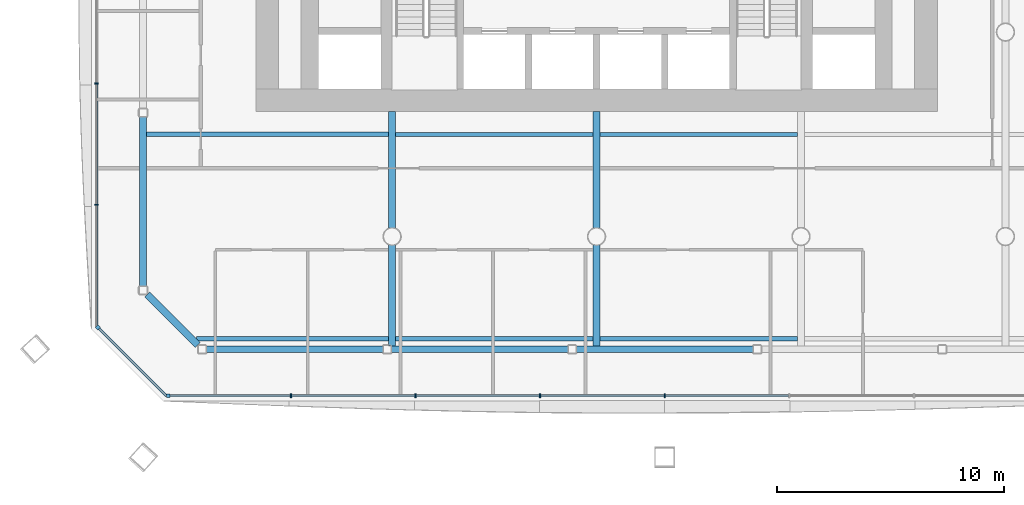
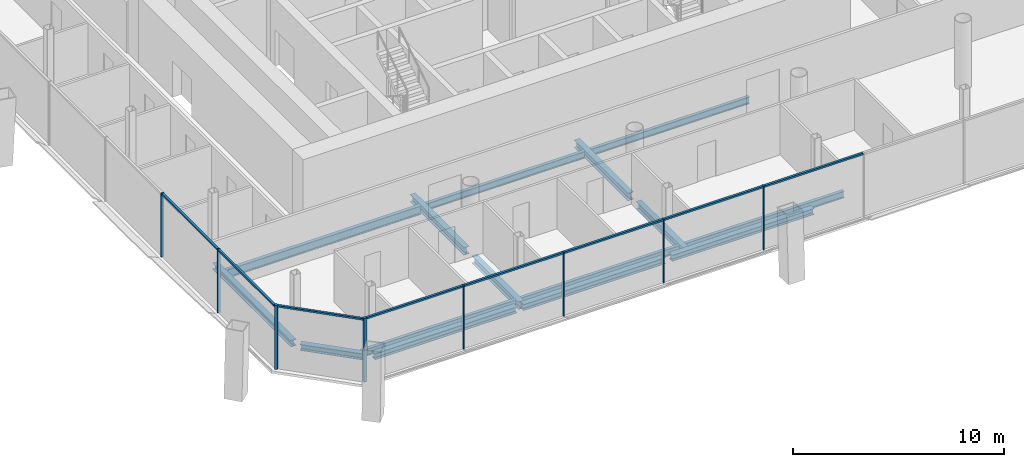
# One storey, part 3 of 19: 16 members, 15 beams, 3 elements without a shape of their own.
"""IFC4 building model written with IfcOpenShell, lengths in metres."""

from ifc_helpers import new_model, si_unit, direction, frame, origin, origin_2d, place, context, subcontext, project, spatial, rectangle, i_section, extrude, material, material_profile, profile_set, type_object, element, aggregate, save


model = new_model("IFC4")

# Units and contexts
model_context = context("Model", 3, precision=1e-05, world=origin(), true_north=direction((0.0, 1.0)))
body_context = subcontext(model_context, "Body", "Model", "MODEL_VIEW")
ifc_project = project(units=[si_unit("LENGTHUNIT", "METRE"), si_unit("AREAUNIT", "SQUARE_METRE"), si_unit("VOLUMEUNIT", "CUBIC_METRE"), si_unit("PLANEANGLEUNIT", "RADIAN"), si_unit("MASSUNIT", "GRAM", prefix="KILO")], contexts=[model_context])

# Site, building, storey
site_placement = place(None, origin())
site = spatial("IfcSite", under=ifc_project, at=site_placement, CompositionType="ELEMENT")
building_placement = place(site_placement, origin())
building = spatial("IfcBuilding", under=site, at=building_placement, Name="Tskaro Facet Tower", CompositionType="ELEMENT")
storey_placement = place(building_placement, frame((0.0, 0.0, 81.60009765625)))
storey = spatial("IfcBuildingStorey", under=building, at=storey_placement, Name="L19", CompositionType="ELEMENT", Elevation=81.60009765625)

# Curtain wall, member
ifc_material_1 = material(Name="Bronze anodised aluminium 6063-T6", Category="aluminium")
curtain_wall_type = type_object("IfcCurtainWallType", Name="Bronze office curtain wall (FW1)", PredefinedType="NOTDEFINED", material=ifc_material_1)
curtain_wall_1_placement = place(storey_placement, origin())
curtain_wall_1 = element("IfcCurtainWall", 1, at=curtain_wall_1_placement, inside=storey, type_object=curtain_wall_type, Name="FW1 south facet L19", PredefinedType="NOTDEFINED")
ifc_material_profile_1 = material_profile(ifc_material_1, rectangle(XDim=0.159912109375, YDim=0.159912109375, at=origin_2d()), Name="Corner post 160x160")
ifc_profile_set_1 = profile_set([ifc_material_profile_1], Name="Bronze anodised aluminium 6063-T6")
member_type_1 = type_object("IfcMemberType", Name="FW1 bronze corner post 160x160", PredefinedType="MULLION", material=ifc_profile_set_1)
member_1_placement = place(storey_placement, frame((-18.85888671875, -25.010986328125, 0.0), z_axis=(0.0, 0.0, 1.0), x_axis=(1.0, 0.0, 0.0)))
member_1 = element("IfcMember", 2, at=member_1_placement, type_object=member_type_1, Name="FW1 south corner post", PredefinedType="MULLION", context=body_context, shape_type="SweptSolid", body=[
    extrude(rectangle(XDim=0.159912109375, YDim=0.159912109375, at=origin_2d()), origin(), (0.0, 0.0, 1.0), 3.699951171875),
])

curtain_wall_2_placement = place(storey_placement, origin())
curtain_wall_2 = element("IfcCurtainWall", 3, at=curtain_wall_2_placement, inside=storey, type_object=curtain_wall_type, Name="FW1 south-west facet L19", PredefinedType="NOTDEFINED")
member_2_placement = place(storey_placement, frame((-21.954345703125, -21.99560546875, 0.0), z_axis=(0.0, 0.0, 1.0), x_axis=(0.707106781187, -0.707106781187, 0.0)))
member_2 = element("IfcMember", 4, at=member_2_placement, type_object=member_type_1, Name="FW1 south-west corner post", PredefinedType="MULLION", context=body_context, shape_type="SweptSolid", body=[
    extrude(rectangle(XDim=0.159912109375, YDim=0.159912109375, at=origin_2d()), origin(), (0.0, 0.0, 1.0), 3.699951171875),
])

# Member
ifc_material_profile_2 = material_profile(ifc_material_1, rectangle(XDim=0.06005859375, YDim=0.159912109375, at=origin_2d()), Name="Mullion 60x160")
ifc_profile_set_2 = profile_set([ifc_material_profile_2], Name="Bronze anodised aluminium 6063-T6")
member_type_2 = type_object("IfcMemberType", Name="FW1 bronze mullion 60x160", PredefinedType="MULLION", material=ifc_profile_set_2)
member_3_placement = place(storey_placement, frame((-13.454345703125, -25.010986328125, 0.0), z_axis=(0.0, 0.0, 1.0), x_axis=(1.0, 0.0, 0.0)))
member_3 = element("IfcMember", 5, at=member_3_placement, type_object=member_type_2, Name="FW1 south mullion 1", PredefinedType="MULLION", context=body_context, shape_type="SweptSolid", body=[
    extrude(rectangle(XDim=0.06005859375, YDim=0.159912109375, at=origin_2d()), origin(), (0.0, 0.0, 1.0), 3.699951171875),
])

member_4_placement = place(storey_placement, frame((-7.969482421875, -25.010986328125, 0.0), z_axis=(0.0, 0.0, 1.0), x_axis=(1.0, 0.0, 0.0)))
member_4 = element("IfcMember", 6, at=member_4_placement, type_object=member_type_2, Name="FW1 south mullion 2", PredefinedType="MULLION", context=body_context, shape_type="SweptSolid", body=[
    extrude(rectangle(XDim=0.06005859375, YDim=0.159912109375, at=origin_2d()), origin(), (0.0, 0.0, 1.0), 3.699951171875),
])

member_5_placement = place(storey_placement, frame((-2.48486328125, -25.010986328125, 0.0), z_axis=(0.0, 0.0, 1.0), x_axis=(1.0, 0.0, 0.0)))
member_5 = element("IfcMember", 7, at=member_5_placement, type_object=member_type_2, Name="FW1 south mullion 3", PredefinedType="MULLION", context=body_context, shape_type="SweptSolid", body=[
    extrude(rectangle(XDim=0.06005859375, YDim=0.159912109375, at=origin_2d()), origin(), (0.0, 0.0, 1.0), 3.699951171875),
])

member_6_placement = place(storey_placement, frame((3.0, -25.010986328125, 0.0), z_axis=(0.0, 0.0, 1.0), x_axis=(1.0, 0.0, 0.0)))
member_6 = element("IfcMember", 8, at=member_6_placement, type_object=member_type_2, Name="FW1 south mullion 4", PredefinedType="MULLION", context=body_context, shape_type="SweptSolid", body=[
    extrude(rectangle(XDim=0.06005859375, YDim=0.159912109375, at=origin_2d()), origin(), (0.0, 0.0, 1.0), 3.699951171875),
])

# Curtain wall, members
curtain_wall_3_placement = place(storey_placement, origin())
curtain_wall_3 = element("IfcCurtainWall", 9, at=curtain_wall_3_placement, inside=storey, type_object=curtain_wall_type, Name="FW1 west facet L19", PredefinedType="NOTDEFINED")
member_7_placement = place(storey_placement, frame((-22.010986328125, -11.268310546875, 0.0), z_axis=(0.0, 0.0, 1.0), x_axis=(0.0, -1.0, 0.0)))
member_7 = element("IfcMember", 10, at=member_7_placement, type_object=member_type_2, Name="FW1 west mullion 6", PredefinedType="MULLION", context=body_context, shape_type="SweptSolid", body=[
    extrude(rectangle(XDim=0.06005859375, YDim=0.159912109375, at=origin_2d()), origin(), (0.0, 0.0, 1.0), 3.699951171875),
])
member_8_placement = place(storey_placement, frame((-22.010986328125, -16.603515625, 0.0), z_axis=(0.0, 0.0, 1.0), x_axis=(0.0, -1.0, 0.0)))
member_8 = element("IfcMember", 11, at=member_8_placement, type_object=member_type_2, Name="FW1 west mullion 7", PredefinedType="MULLION", context=body_context, shape_type="SweptSolid", body=[
    extrude(rectangle(XDim=0.06005859375, YDim=0.159912109375, at=origin_2d()), origin(), (0.0, 0.0, 1.0), 3.699951171875),
])

# Member
ifc_material_profile_3 = material_profile(ifc_material_1, rectangle(XDim=0.1201171875, YDim=0.10009765625, at=origin_2d()), Name="Transom 120x100")
ifc_profile_set_3 = profile_set([ifc_material_profile_3], Name="Bronze anodised aluminium 6063-T6")
member_type_3 = type_object("IfcMemberType", Name="FW1 bronze transom 120x100", PredefinedType="USERDEFINED", material=ifc_profile_set_3)
member_9_placement = place(storey_placement, frame((-18.779052734375, -25.010986328125, 3.64990234375), z_axis=(1.0, 0.0, 0.0), x_axis=(0.0, 1.0, 0.0)))
member_9 = element("IfcMember", 12, at=member_9_placement, type_object=member_type_3, Name="FW1 south transom 1.1", ObjectType="TRANSOM", PredefinedType="USERDEFINED", context=body_context, shape_type="SweptSolid", body=[
    extrude(rectangle(XDim=0.1201171875, YDim=0.10009765625, at=origin_2d()), origin(), (0.0, 0.0, 1.0), 5.294921875),
])

member_10_placement = place(storey_placement, frame((-13.42431640625, -25.010986328125, 3.64990234375), z_axis=(1.0, 0.0, 0.0), x_axis=(0.0, 1.0, 0.0)))
member_10 = element("IfcMember", 13, at=member_10_placement, type_object=member_type_3, Name="FW1 south transom 2.1", ObjectType="TRANSOM", PredefinedType="USERDEFINED", context=body_context, shape_type="SweptSolid", body=[
    extrude(rectangle(XDim=0.1201171875, YDim=0.10009765625, at=origin_2d()), origin(), (0.0, 0.0, 1.0), 5.4248046875),
])

member_11_placement = place(storey_placement, frame((-7.939453125, -25.010986328125, 3.64990234375), z_axis=(1.0, 0.0, 0.0), x_axis=(0.0, 1.0, 0.0)))
member_11 = element("IfcMember", 14, at=member_11_placement, type_object=member_type_3, Name="FW1 south transom 3.1", ObjectType="TRANSOM", PredefinedType="USERDEFINED", context=body_context, shape_type="SweptSolid", body=[
    extrude(rectangle(XDim=0.1201171875, YDim=0.10009765625, at=origin_2d()), origin(), (0.0, 0.0, 1.0), 5.4248046875),
])

member_12_placement = place(storey_placement, frame((-2.454833984375, -25.010986328125, 3.64990234375), z_axis=(1.0, 0.0, 0.0), x_axis=(0.0, 1.0, 0.0)))
member_12 = element("IfcMember", 15, at=member_12_placement, type_object=member_type_3, Name="FW1 south transom 4.1", ObjectType="TRANSOM", PredefinedType="USERDEFINED", context=body_context, shape_type="SweptSolid", body=[
    extrude(rectangle(XDim=0.1201171875, YDim=0.10009765625, at=origin_2d()), origin(), (0.0, 0.0, 1.0), 5.4248046875),
])

member_13_placement = place(storey_placement, frame((3.030029296875, -25.010986328125, 3.64990234375), z_axis=(1.0, 0.0, 0.0), x_axis=(0.0, 1.0, 0.0)))
member_13 = element("IfcMember", 16, at=member_13_placement, type_object=member_type_3, Name="FW1 south transom 5.1", ObjectType="TRANSOM", PredefinedType="USERDEFINED", context=body_context, shape_type="SweptSolid", body=[
    extrude(rectangle(XDim=0.1201171875, YDim=0.10009765625, at=origin_2d()), origin(), (0.0, 0.0, 1.0), 5.4248046875),
])

aggregate(curtain_wall_1, [member_1, member_3, member_4, member_5, member_6, member_9, member_10, member_11, member_12, member_13])

member_14_placement = place(storey_placement, frame((-22.010986328125, -11.29833984375, 3.64990234375), z_axis=(0.0, -1.0, 0.0), x_axis=(1.0, 0.0, 0.0)))
member_14 = element("IfcMember", 17, at=member_14_placement, type_object=member_type_3, Name="FW1 west transom 7.1", ObjectType="TRANSOM", PredefinedType="USERDEFINED", context=body_context, shape_type="SweptSolid", body=[
    extrude(rectangle(XDim=0.1201171875, YDim=0.10009765625, at=origin_2d()), origin(), (0.0, 0.0, 1.0), 5.275390625),
])

member_15_placement = place(storey_placement, frame((-22.010986328125, -16.633544921875, 3.64990234375), z_axis=(0.0, -1.0, 0.0), x_axis=(1.0, 0.0, 0.0)))
member_15 = element("IfcMember", 18, at=member_15_placement, type_object=member_type_3, Name="FW1 west transom 8.1", ObjectType="TRANSOM", PredefinedType="USERDEFINED", context=body_context, shape_type="SweptSolid", body=[
    extrude(rectangle(XDim=0.1201171875, YDim=0.10009765625, at=origin_2d()), origin(), (0.0, 0.0, 1.0), 5.305419921875),
])

aggregate(curtain_wall_3, [member_7, member_8, member_14, member_15])

member_16_placement = place(storey_placement, frame((-21.89794921875, -22.05224609375, 3.64990234375), z_axis=(0.70713595286, -0.70707760831, 0.0), x_axis=(0.70707760831, 0.70713595286, 0.0)))
member_16 = element("IfcMember", 19, at=member_16_placement, type_object=member_type_3, Name="FW1 south-west transom 1.1", ObjectType="TRANSOM", PredefinedType="USERDEFINED", context=body_context, shape_type="SweptSolid", body=[
    extrude(rectangle(XDim=0.1201171875, YDim=0.10009765625, at=origin_2d()), origin(), (0.0, 0.0, 1.0), 4.1845703125),
])

aggregate(curtain_wall_2, [member_2, member_16])

# Beams
ifc_material_2 = material(Name="Steel S355J2", Category="steel")
ifc_material_profile_4 = material_profile(ifc_material_2, i_section(OverallWidth=0.300048828125, OverallDepth=0.360107421875, WebThickness=0.012451171875, FlangeThickness=0.0224609375, FilletRadius=0.027099609375, at=origin_2d()), Name="HE 360 B")
ifc_profile_set_4 = profile_set([ifc_material_profile_4], Name="Steel S355J2")
beam_type_1 = type_object("IfcBeamType", Name="HE 360 B ring beam", PredefinedType="BEAM", material=ifc_profile_set_4)
beam_1_placement = place(storey_placement, frame((-17.18408203125, -22.965087890625, -0.320068359375), z_axis=(1.0, 0.0, 0.0), x_axis=(0.0, 1.0, 0.0)))
element("IfcBeam", 20, at=beam_1_placement, inside=storey, type_object=beam_type_1, Name="HE 360 B EB1-2", PredefinedType="BEAM", context=body_context, shape_type="SweptSolid", body=[
    extrude(i_section(OverallWidth=0.300048828125, OverallDepth=0.360107421875, WebThickness=0.012451171875, FlangeThickness=0.0224609375, FilletRadius=0.027099609375, at=origin_2d()), origin(), (0.0, 0.0, 1.0), 7.7861328125),
])
beam_2_placement = place(storey_placement, frame((-9.0380859375, -22.965087890625, -0.320068359375), z_axis=(1.0, 0.0, 0.0), x_axis=(0.0, 1.0, 0.0)))
element("IfcBeam", 21, at=beam_2_placement, inside=storey, type_object=beam_type_1, Name="HE 360 B EB2-2", PredefinedType="BEAM", context=body_context, shape_type="SweptSolid", body=[
    extrude(i_section(OverallWidth=0.300048828125, OverallDepth=0.360107421875, WebThickness=0.012451171875, FlangeThickness=0.0224609375, FilletRadius=0.027099609375, at=origin_2d()), origin(), (0.0, 0.0, 1.0), 7.78515625),
])
beam_3_placement = place(storey_placement, frame((-0.89306640625, -22.965087890625, -0.320068359375), z_axis=(1.0, 0.0, 0.0), x_axis=(0.0, 1.0, 0.0)))
element("IfcBeam", 22, at=beam_3_placement, inside=storey, type_object=beam_type_1, Name="HE 360 B EB3-2", PredefinedType="BEAM", context=body_context, shape_type="SweptSolid", body=[
    extrude(i_section(OverallWidth=0.300048828125, OverallDepth=0.360107421875, WebThickness=0.012451171875, FlangeThickness=0.0224609375, FilletRadius=0.027099609375, at=origin_2d()), origin(), (0.0, 0.0, 1.0), 7.7861328125),
])
beam_4_placement = place(storey_placement, frame((-19.965087890625, -12.73291015625, -0.320068359375), z_axis=(0.0, -1.0, 0.0), x_axis=(1.0, 0.0, 0.0)))
element("IfcBeam", 23, at=beam_4_placement, inside=storey, type_object=beam_type_1, Name="HE 360 B EB23-2", PredefinedType="BEAM", context=body_context, shape_type="SweptSolid", body=[
    extrude(i_section(OverallWidth=0.300048828125, OverallDepth=0.360107421875, WebThickness=0.012451171875, FlangeThickness=0.0224609375, FilletRadius=0.027099609375, at=origin_2d()), origin(), (0.0, 0.0, 1.0), 7.451171875),
])
beam_5_placement = place(storey_placement, frame((-19.779052734375, -20.5498046875, -0.320068359375), z_axis=(0.707106781187, -0.707106781187, 0.0), x_axis=(0.707106781187, 0.707106781187, 0.0)))
element("IfcBeam", 24, at=beam_5_placement, inside=storey, type_object=beam_type_1, Name="HE 360 B EB24-2", PredefinedType="BEAM", context=body_context, shape_type="SweptSolid", body=[
    extrude(i_section(OverallWidth=0.300048828125, OverallDepth=0.360107421875, WebThickness=0.012451171875, FlangeThickness=0.0224609375, FilletRadius=0.027099609375, at=origin_2d()), origin(), (0.0, 0.0, 1.0), 3.152587890625),
])
ifc_material_profile_5 = material_profile(ifc_material_2, i_section(OverallWidth=0.300048828125, OverallDepth=0.43994140625, WebThickness=0.011474609375, FlangeThickness=0.02099609375, FilletRadius=0.027099609375, at=origin_2d()), Name="HE 450 A")
ifc_profile_set_5 = profile_set([ifc_material_profile_5], Name="Steel S355J2")
beam_type_2 = type_object("IfcBeamType", Name="HE 450 A girder", PredefinedType="BEAM", material=ifc_profile_set_5)
beam_6_placement = place(storey_placement, frame((-9.0, -22.81494140625, -0.360107421875), z_axis=(0.0, 1.0, 0.0), x_axis=(-1.0, 0.0, 0.0)))
element("IfcBeam", 25, at=beam_6_placement, inside=storey, type_object=beam_type_2, Name="HE 450 A GB3-1-2", PredefinedType="BEAM", context=body_context, shape_type="SweptSolid", body=[
    extrude(i_section(OverallWidth=0.300048828125, OverallDepth=0.43994140625, WebThickness=0.011474609375, FlangeThickness=0.02099609375, FilletRadius=0.027099609375, at=origin_2d()), origin(), (0.0, 0.0, 1.0), 4.4384765625),
])
beam_7_placement = place(storey_placement, frame((-9.0, -17.62353515625, -0.360107421875), z_axis=(0.0, 1.0, 0.0), x_axis=(-1.0, 0.0, 0.0)))
element("IfcBeam", 26, at=beam_7_placement, inside=storey, type_object=beam_type_2, Name="HE 450 A GB3-2-2", PredefinedType="BEAM", context=body_context, shape_type="SweptSolid", body=[
    extrude(i_section(OverallWidth=0.300048828125, OverallDepth=0.43994140625, WebThickness=0.011474609375, FlangeThickness=0.02099609375, FilletRadius=0.027099609375, at=origin_2d()), origin(), (0.0, 0.0, 1.0), 5.12353515625),
])
beam_8_placement = place(storey_placement, frame((0.0, -22.81494140625, -0.360107421875), z_axis=(0.0, 1.0, 0.0), x_axis=(-1.0, 0.0, 0.0)))
element("IfcBeam", 27, at=beam_8_placement, inside=storey, type_object=beam_type_2, Name="HE 450 A GB4-1-2", PredefinedType="BEAM", context=body_context, shape_type="SweptSolid", body=[
    extrude(i_section(OverallWidth=0.300048828125, OverallDepth=0.43994140625, WebThickness=0.011474609375, FlangeThickness=0.02099609375, FilletRadius=0.027099609375, at=origin_2d()), origin(), (0.0, 0.0, 1.0), 4.4384765625),
])
beam_9_placement = place(storey_placement, frame((0.0, -17.62353515625, -0.360107421875), z_axis=(0.0, 1.0, 0.0), x_axis=(-1.0, 0.0, 0.0)))
element("IfcBeam", 28, at=beam_9_placement, inside=storey, type_object=beam_type_2, Name="HE 450 A GB4-2-2", PredefinedType="BEAM", context=body_context, shape_type="SweptSolid", body=[
    extrude(i_section(OverallWidth=0.300048828125, OverallDepth=0.43994140625, WebThickness=0.011474609375, FlangeThickness=0.02099609375, FilletRadius=0.027099609375, at=origin_2d()), origin(), (0.0, 0.0, 1.0), 5.12353515625),
])
ifc_material_profile_6 = material_profile(ifc_material_2, i_section(OverallWidth=0.179931640625, OverallDepth=0.39990234375, WebThickness=0.008544921875, FlangeThickness=0.013427734375, FilletRadius=0.02099609375, at=origin_2d()), Name="IPE 400")
ifc_profile_set_6 = profile_set([ifc_material_profile_6], Name="Steel S355J2")
beam_type_3 = type_object("IfcBeamType", Name="IPE 400 secondary beam", PredefinedType="BEAM", material=ifc_profile_set_6)
beam_10_placement = place(storey_placement, frame((-17.616943359375, -22.5, -0.340087890625), z_axis=(1.0, 0.0, 0.0), x_axis=(0.0, 1.0, 0.0)))
element("IfcBeam", 29, at=beam_10_placement, inside=storey, type_object=beam_type_3, Name="IPE 400 SB1a-1-2", PredefinedType="BEAM", context=body_context, shape_type="SweptSolid", body=[
    extrude(i_section(OverallWidth=0.179931640625, OverallDepth=0.39990234375, WebThickness=0.008544921875, FlangeThickness=0.013427734375, FilletRadius=0.02099609375, at=origin_2d()), origin(), (0.0, 0.0, 1.0), 8.467041015625),
])
for number, where, z_axis, x_axis, name in (
    (30, (-8.85009765625, -22.5, -0.340087890625), (1.0, 0.0, 0.0), (0.0, 1.0, 0.0), "IPE 400 SB1a-2-2"),
    (31, (0.14990234375, -22.5, -0.340087890625), (1.0, 0.0, 0.0), (0.0, 1.0, 0.0), "IPE 400 SB1a-3-2"),
    (32, (-8.85009765625, -13.5, -0.340087890625), (1.0, 0.0, 0.0), (0.0, 1.0, 0.0), "IPE 400 SB2a-2-2"),
    (33, (0.14990234375, -13.5, -0.340087890625), (1.0, 0.0, 0.0), (0.0, 1.0, 0.0), "IPE 400 SB2a-3-2"),
):
    element("IfcBeam", number, at=place(storey_placement, frame(where, z_axis=z_axis, x_axis=x_axis)), inside=storey, type_object=beam_type_3, Name=name, PredefinedType="BEAM", context=body_context, shape_type="SweptSolid", body=[
        extrude(i_section(OverallWidth=0.179931640625, OverallDepth=0.39990234375, WebThickness=0.008544921875, FlangeThickness=0.013427734375, FilletRadius=0.02099609375, at=origin_2d()), origin(), (0.0, 0.0, 1.0), 8.7001953125),
    ])
ifc_material_profile_7 = material_profile(ifc_material_2, i_section(OverallWidth=0.199951171875, OverallDepth=0.5, WebThickness=0.01025390625, FlangeThickness=0.01611328125, FilletRadius=0.02099609375, at=origin_2d()), Name="IPE 500")
ifc_profile_set_7 = profile_set([ifc_material_profile_7], Name="Steel S355J2")
beam_type_4 = type_object("IfcBeamType", Name="IPE 500 long secondary beam", PredefinedType="BEAM", material=ifc_profile_set_7)
beam_11_placement = place(storey_placement, frame((-19.81494140625, -13.5, -0.39013671875), z_axis=(1.0, 0.0, 0.0), x_axis=(0.0, 1.0, 0.0)))
element("IfcBeam", 34, at=beam_11_placement, inside=storey, type_object=beam_type_4, Name="IPE 500 LSB2a-1-2", PredefinedType="BEAM", context=body_context, shape_type="SweptSolid", body=[
    extrude(i_section(OverallWidth=0.199951171875, OverallDepth=0.5, WebThickness=0.01025390625, FlangeThickness=0.01611328125, FilletRadius=0.02099609375, at=origin_2d()), origin(), (0.0, 0.0, 1.0), 10.6650390625),
])

save(model, "model.ifc")
